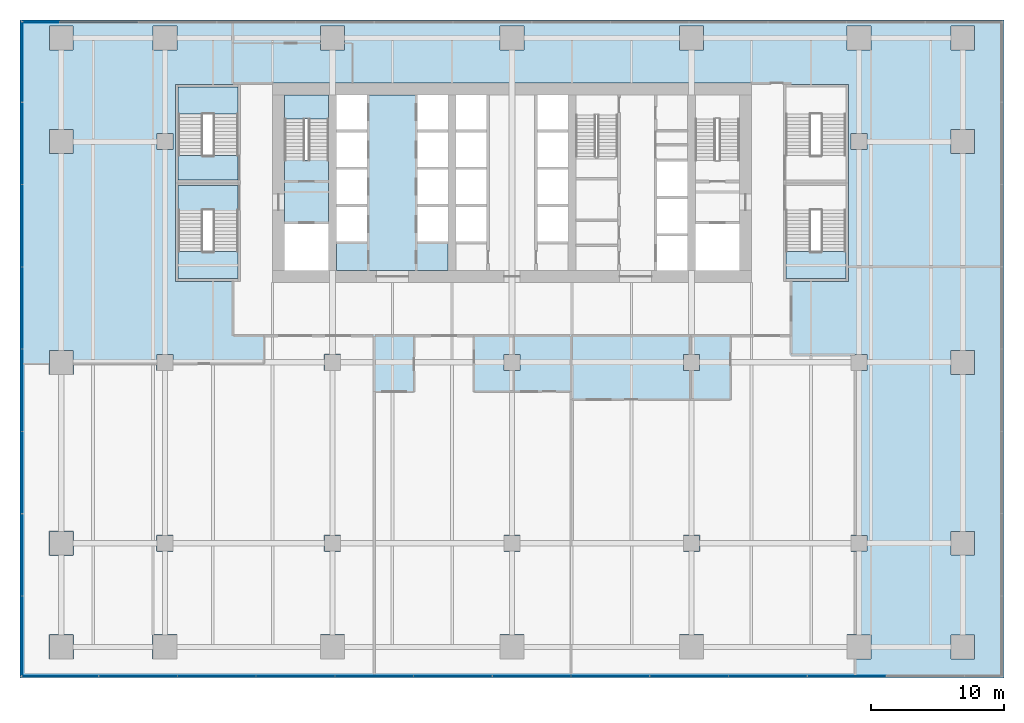
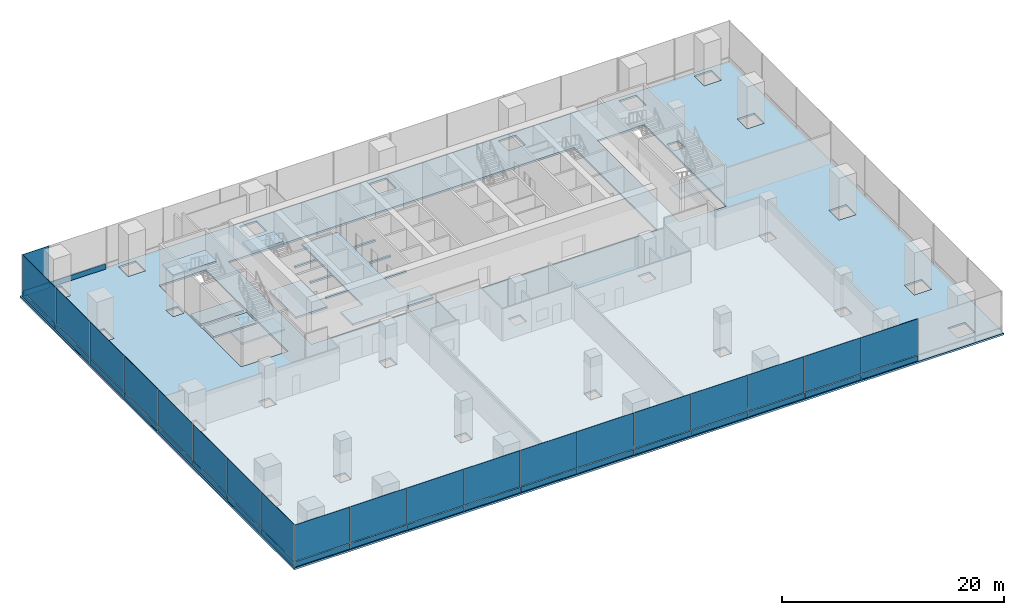
# One storey, part 17 of 28: 41 plates, 9 slabs, 7 elements without a shape of their own.
"""IFC4 building model written with IfcOpenShell, lengths in metres."""

from ifc_helpers import new_model, si_unit, direction, frame, origin, origin_2d, place, context, subcontext, project, spatial, polyline, rectangle, outline, extrude, material, layer, layer_set, type_object, element, aggregate, save


model = new_model("IFC4")

# Units and contexts
model_context = context("Model", 3, precision=1e-05, world=origin(), true_north=direction((0.0, 1.0)))
body_context = subcontext(model_context, "Body", "Model", "MODEL_VIEW")
ifc_project = project(units=[si_unit("LENGTHUNIT", "METRE"), si_unit("AREAUNIT", "SQUARE_METRE"), si_unit("VOLUMEUNIT", "CUBIC_METRE"), si_unit("PLANEANGLEUNIT", "RADIAN"), si_unit("MASSUNIT", "GRAM", prefix="KILO")], contexts=[model_context])

# Site, building, storey
site_placement = place(None, origin())
site = spatial("IfcSite", under=ifc_project, at=site_placement, CompositionType="ELEMENT")
building_placement = place(site_placement, origin())
building = spatial("IfcBuilding", under=site, at=building_placement, Name="Rattan Terrace Tower", CompositionType="ELEMENT")
storey_placement = place(building_placement, frame((0.0, 0.0, 17.39990234375)))
storey = spatial("IfcBuildingStorey", under=building, at=storey_placement, Name="L03", CompositionType="ELEMENT", Elevation=17.39990234375)

# Stair, slab
ifc_material_1 = material(Name="Concrete C40/50", Category="concrete")
stair_type_1 = type_object("IfcStairType", Name="Core exit stair 1500", PredefinedType="HALF_TURN_STAIR", material=ifc_material_1)
stair_1_placement = place(storey_placement, origin())
stair_1 = element("IfcStair", 1, at=stair_1_placement, inside=storey, type_object=stair_type_1, Name="L03 exit stair 1", PredefinedType="HALF_TURN_STAIR")
ifc_material_2 = material(Name="Concrete C40/50", Category="concrete")
ifc_layer_1 = layer(ifc_material_2, 0.199951171875)
ifc_layer_set_1 = layer_set([ifc_layer_1], Name="Core exit stair landing")
slab_type_1 = type_object("IfcSlabType", Name="Core exit stair landing", PredefinedType="LANDING", material=ifc_layer_set_1)
slab_1_placement = place(storey_placement, frame((0.0, 0.0, 2.2001953125)))
slab_1 = element("IfcSlab", 2, at=slab_1_placement, type_object=slab_type_1, Name="S1 landing 1", PredefinedType="LANDING", context=body_context, shape_type="SweptSolid", body=[
    extrude(outline(polyline([(-13.800048828125, 4.820068359375), (-13.800048828125, 6.60009765625), (-17.10009765625, 6.60009765625), (-17.10009765625, 4.820068359375), (-13.800048828125, 4.820068359375)])), origin(), (0.0, 0.0, 1.0), 0.199951171875),
])
aggregate(stair_1, [slab_1])

ifc_material_3 = material(Name="Concrete C40/50", Category="concrete")
stair_type_2 = type_object("IfcStairType", Name="Core exit stair 1850", PredefinedType="HALF_TURN_STAIR", material=ifc_material_3)
stair_2_placement = place(storey_placement, origin())
stair_2 = element("IfcStair", 3, at=stair_2_placement, inside=storey, type_object=stair_type_2, Name="L03 exit stair 4", PredefinedType="HALF_TURN_STAIR")
slab_2_placement = place(storey_placement, frame((0.0, 0.0, 2.2001953125)))
slab_2 = element("IfcSlab", 4, at=slab_2_placement, type_object=slab_type_1, Name="S4 landing 1", PredefinedType="LANDING", context=body_context, shape_type="SweptSolid", body=[
    extrude(outline(polyline([(-25.10009765625, -5.169921875), (-25.10009765625, -7.199951171875), (-20.60009765625, -7.199951171875), (-20.60009765625, -5.169921875), (-25.10009765625, -5.169921875)])), origin(), (0.0, 0.0, 1.0), 0.199951171875),
])
aggregate(stair_2, [slab_2])

stair_3_placement = place(storey_placement, origin())
stair_3 = element("IfcStair", 5, at=stair_3_placement, inside=storey, type_object=stair_type_2, Name="L03 exit stair 5", PredefinedType="HALF_TURN_STAIR")
slab_3_placement = place(storey_placement, frame((0.0, 0.0, 2.2001953125)))
slab_3 = element("IfcSlab", 6, at=slab_3_placement, type_object=slab_type_1, Name="S5 landing 1", PredefinedType="LANDING", context=body_context, shape_type="SweptSolid", body=[
    extrude(outline(polyline([(-20.60009765625, 5.169921875), (-20.60009765625, 7.199951171875), (-25.10009765625, 7.199951171875), (-25.10009765625, 5.169921875), (-20.60009765625, 5.169921875)])), origin(), (0.0, 0.0, 1.0), 0.199951171875),
])
aggregate(stair_3, [slab_3])

stair_4_placement = place(storey_placement, origin())
stair_4 = element("IfcStair", 7, at=stair_4_placement, inside=storey, type_object=stair_type_2, Name="L03 exit stair 6", PredefinedType="HALF_TURN_STAIR")
slab_4_placement = place(storey_placement, frame((0.0, 0.0, 2.2001953125)))
slab_4 = element("IfcSlab", 8, at=slab_4_placement, type_object=slab_type_1, Name="S6 landing 1", PredefinedType="LANDING", context=body_context, shape_type="SweptSolid", body=[
    extrude(outline(polyline([(20.60009765625, -5.169921875), (20.60009765625, -7.199951171875), (25.10009765625, -7.199951171875), (25.10009765625, -5.169921875), (20.60009765625, -5.169921875)])), origin(), (0.0, 0.0, 1.0), 0.199951171875),
])
aggregate(stair_4, [slab_4])

# Slabs
ifc_material_4 = material(Name="Concrete C35/45", Category="concrete")
ifc_layer_2 = layer(ifc_material_4, 0.199951171875)
ifc_layer_set_2 = layer_set([ifc_layer_2], Name="Frame composite floor slab 200")
slab_type_2 = type_object("IfcSlabType", Name="Frame composite floor slab 200", PredefinedType="FLOOR", material=ifc_layer_set_2)
slab_5_placement = place(storey_placement, frame((0.0, 0.0, -0.199951171875)))
element("IfcSlab", 9, at=slab_5_placement, inside=storey, type_object=slab_type_2, Name="Floor slab", PredefinedType="FLOOR", context=body_context, shape_type="SweptSolid", body=[
    extrude(outline(polyline([(-37.0, -37.25), (37.0, -37.25), (37.0, 12.25), (-37.0, 12.25), (-37.0, -37.25)]), holes=[polyline([(-34.800048828125, -34.0), (-34.800048828125, -35.800048828125), (-33.0, -35.800048828125), (-33.0, -34.0), (-34.800048828125, -34.0)]), polyline([(-14.39990234375, -34.0), (-14.39990234375, -35.800048828125), (-12.60009765625, -35.800048828125), (-12.60009765625, -34.0), (-14.39990234375, -34.0)]), polyline([(-27.0, -34.0), (-27.0, -35.800048828125), (-25.199951171875, -35.800048828125), (-25.199951171875, -34.0), (-27.0, -34.0)]), polyline([(-12.89990234375, -26.5), (-14.10009765625, -26.5), (-14.10009765625, -27.699951171875), (-12.89990234375, -27.699951171875), (-12.89990234375, -26.5)]), polyline([(-25.5, -26.5), (-26.699951171875, -26.5), (-26.699951171875, -27.699951171875), (-25.5, -27.699951171875), (-25.5, -26.5)]), polyline([(-34.800048828125, -28.0), (-33.0, -28.0), (-33.0, -26.199951171875), (-34.800048828125, -26.199951171875), (-34.800048828125, -28.0)]), polyline([(-34.800048828125, -14.39990234375), (-33.0, -14.39990234375), (-33.0, -12.60009765625), (-34.800048828125, -12.60009765625), (-34.800048828125, -14.39990234375)]), polyline([(-14.10009765625, -12.89990234375), (-14.10009765625, -14.10009765625), (-12.89990234375, -14.10009765625), (-12.89990234375, -12.89990234375), (-14.10009765625, -12.89990234375)]), polyline([(-25.5, -12.89990234375), (-26.699951171875, -12.89990234375), (-26.699951171875, -14.10009765625), (-25.5, -14.10009765625), (-25.5, -12.89990234375)]), polyline([(-25.10009765625, -7.39990234375), (-20.60009765625, -7.39990234375), (-20.60009765625, -7.39990234375), (-20.39990234375, -7.39990234375), (-20.39990234375, 0.0), (-20.39990234375, 7.39990234375), (-20.60009765625, 7.39990234375), (-20.60009765625, 7.39990234375), (-25.10009765625, 7.39990234375), (-25.10009765625, 7.39990234375), (-25.300048828125, 7.39990234375), (-25.300048828125, 0.0), (-25.300048828125, -7.39990234375), (-25.10009765625, -7.39990234375), (-25.10009765625, -7.39990234375)]), polyline([(18.0, -6.60009765625), (18.0, 6.60009765625), (18.0, 7.5), (-18.0, 7.5), (-18.0, 6.60009765625), (-18.0, -6.60009765625), (-18.0, -7.5), (18.0, -7.5), (18.0, -6.60009765625)]), polyline([(-26.699951171875, 3.699951171875), (-26.699951171875, 2.5), (-25.5, 2.5), (-25.5, 3.699951171875), (-26.699951171875, 3.699951171875)]), polyline([(-34.800048828125, 4.0), (-34.800048828125, 2.199951171875), (-33.0, 2.199951171875), (-33.0, 4.0), (-34.800048828125, 4.0)]), polyline([(-25.199951171875, 11.800048828125), (-27.0, 11.800048828125), (-27.0, 10.0), (-25.199951171875, 10.0), (-25.199951171875, 11.800048828125)]), polyline([(-14.39990234375, 11.800048828125), (-14.39990234375, 10.0), (-12.60009765625, 10.0), (-12.60009765625, 11.800048828125), (-14.39990234375, 11.800048828125)]), polyline([(-34.800048828125, 11.800048828125), (-34.800048828125, 10.0), (-33.0, 10.0), (-33.0, 11.800048828125), (-34.800048828125, 11.800048828125)]), polyline([(-0.89990234375, -34.0), (-0.89990234375, -35.800048828125), (0.89990234375, -35.800048828125), (0.89990234375, -34.0), (-0.89990234375, -34.0)]), polyline([(0.60009765625, -26.5), (-0.60009765625, -26.5), (-0.60009765625, -27.699951171875), (0.60009765625, -27.699951171875), (0.60009765625, -26.5)]), polyline([(0.60009765625, -12.89990234375), (-0.60009765625, -12.89990234375), (-0.60009765625, -14.10009765625), (0.60009765625, -14.10009765625), (0.60009765625, -12.89990234375)]), polyline([(0.89990234375, 11.800048828125), (-0.89990234375, 11.800048828125), (-0.89990234375, 10.0), (0.89990234375, 10.0), (0.89990234375, 11.800048828125)]), polyline([(34.800048828125, -34.0), (33.0, -34.0), (33.0, -35.800048828125), (34.800048828125, -35.800048828125), (34.800048828125, -34.0)]), polyline([(25.199951171875, -34.0), (25.199951171875, -35.800048828125), (27.0, -35.800048828125), (27.0, -34.0), (25.199951171875, -34.0)]), polyline([(14.39990234375, -34.0), (12.60009765625, -34.0), (12.60009765625, -35.800048828125), (14.39990234375, -35.800048828125), (14.39990234375, -34.0)]), polyline([(14.10009765625, -26.5), (12.89990234375, -26.5), (12.89990234375, -27.699951171875), (14.10009765625, -27.699951171875), (14.10009765625, -26.5)]), polyline([(33.0, -28.0), (34.800048828125, -28.0), (34.800048828125, -26.199951171875), (33.0, -26.199951171875), (33.0, -28.0)]), polyline([(26.699951171875, -26.5), (25.5, -26.5), (25.5, -27.699951171875), (26.699951171875, -27.699951171875), (26.699951171875, -26.5)]), polyline([(33.0, -12.60009765625), (33.0, -14.39990234375), (34.800048828125, -14.39990234375), (34.800048828125, -12.60009765625), (33.0, -12.60009765625)]), polyline([(12.89990234375, -12.89990234375), (12.89990234375, -14.10009765625), (14.10009765625, -14.10009765625), (14.10009765625, -12.89990234375), (12.89990234375, -12.89990234375)]), polyline([(25.5, -12.89990234375), (25.5, -14.10009765625), (26.699951171875, -14.10009765625), (26.699951171875, -12.89990234375), (25.5, -12.89990234375)]), polyline([(20.60009765625, -7.39990234375), (20.60009765625, -7.39990234375), (25.10009765625, -7.39990234375), (25.10009765625, -7.39990234375), (25.300048828125, -7.39990234375), (25.300048828125, 0.0), (25.300048828125, 7.39990234375), (25.10009765625, 7.39990234375), (25.10009765625, 7.39990234375), (20.60009765625, 7.39990234375), (20.60009765625, 7.39990234375), (20.39990234375, 7.39990234375), (20.39990234375, 0.0), (20.39990234375, -7.39990234375), (20.60009765625, -7.39990234375)]), polyline([(25.5, 3.699951171875), (25.5, 2.5), (26.699951171875, 2.5), (26.699951171875, 3.699951171875), (25.5, 3.699951171875)]), polyline([(33.0, 2.199951171875), (34.800048828125, 2.199951171875), (34.800048828125, 4.0), (33.0, 4.0), (33.0, 2.199951171875)]), polyline([(25.199951171875, 11.800048828125), (25.199951171875, 10.0), (27.0, 10.0), (27.0, 11.800048828125), (25.199951171875, 11.800048828125)]), polyline([(34.800048828125, 11.800048828125), (33.0, 11.800048828125), (33.0, 10.0), (34.800048828125, 10.0), (34.800048828125, 11.800048828125)]), polyline([(14.39990234375, 11.800048828125), (12.60009765625, 11.800048828125), (12.60009765625, 10.0), (14.39990234375, 10.0), (14.39990234375, 11.800048828125)])]), origin(), (0.0, 0.0, 1.0), 0.199951171875),
])
slab_6_placement = place(storey_placement, frame((0.0, 0.0, -0.199951171875)))
element("IfcSlab", 10, at=slab_6_placement, inside=storey, type_object=slab_type_2, Name="Floor slab", PredefinedType="FLOOR", context=body_context, shape_type="SweptSolid", body=[
    extrude(outline(polyline([(-20.60009765625, 0.199951171875), (-20.60009765625, 2.06005859375), (-25.10009765625, 2.06005859375), (-25.10009765625, 0.199951171875), (-20.60009765625, 0.199951171875)])), origin(), (0.0, 0.0, 1.0), 0.199951171875),
])
slab_7_placement = place(storey_placement, frame((0.0, 0.0, -0.199951171875)))
element("IfcSlab", 11, at=slab_7_placement, inside=storey, type_object=slab_type_2, Name="Floor slab", PredefinedType="FLOOR", context=body_context, shape_type="SweptSolid", body=[
    extrude(outline(polyline([(-25.10009765625, -2.06005859375), (-20.60009765625, -2.06005859375), (-20.60009765625, -0.199951171875), (-25.10009765625, -0.199951171875), (-25.10009765625, -2.06005859375)])), origin(), (0.0, 0.0, 1.0), 0.199951171875),
])
slab_8_placement = place(storey_placement, frame((0.0, 0.0, -0.199951171875)))
element("IfcSlab", 12, at=slab_8_placement, inside=storey, type_object=slab_type_2, Name="Floor slab", PredefinedType="FLOOR", context=body_context, shape_type="SweptSolid", body=[
    extrude(outline(polyline([(-13.199951171875, 4.0), (-13.199951171875, 3.800048828125), (-10.89990234375, 3.800048828125), (-10.89990234375, 1.199951171875), (-13.199951171875, 1.199951171875), (-13.199951171875, 1.0), (-10.89990234375, 1.0), (-10.89990234375, -1.60009765625), (-13.199951171875, -1.60009765625), (-13.199951171875, -1.800048828125), (-10.89990234375, -1.800048828125), (-10.89990234375, -4.39990234375), (-13.199951171875, -4.39990234375), (-13.199951171875, -6.60009765625), (-4.800048828125, -6.60009765625), (-4.800048828125, -4.39990234375), (-7.10009765625, -4.39990234375), (-7.10009765625, -1.800048828125), (-4.800048828125, -1.800048828125), (-4.800048828125, -1.60009765625), (-7.10009765625, -1.60009765625), (-7.10009765625, 1.0), (-4.800048828125, 1.0), (-4.800048828125, 1.199951171875), (-7.10009765625, 1.199951171875), (-7.10009765625, 3.800048828125), (-4.800048828125, 3.800048828125), (-4.800048828125, 4.0), (-7.10009765625, 4.0), (-7.10009765625, 6.60009765625), (-10.89990234375, 6.60009765625), (-10.89990234375, 4.0), (-13.199951171875, 4.0)])), origin(), (0.0, 0.0, 1.0), 0.199951171875),
])
slab_9_placement = place(storey_placement, frame((0.0, 0.0, -0.199951171875)))
element("IfcSlab", 13, at=slab_9_placement, inside=storey, type_object=slab_type_2, Name="Floor slab", PredefinedType="FLOOR", context=body_context, shape_type="SweptSolid", body=[
    extrude(outline(polyline([(-17.10009765625, -3.10009765625), (-13.800048828125, -3.10009765625), (-13.800048828125, 1.7099609375), (-17.10009765625, 1.7099609375), (-17.10009765625, -3.10009765625)])), origin(), (0.0, 0.0, 1.0), 0.199951171875),
])

# Curtain wall, plates
ifc_material_5 = material(Name="Aluminium and glass", Category="aluminium")
ifc_layer_3 = layer(ifc_material_5, 0.1201171875)
ifc_layer_set_3 = layer_set([ifc_layer_3], Name="Station Storefront Curtain Wall")
curtain_wall_type = type_object("IfcCurtainWallType", Name="Station Storefront Curtain Wall", PredefinedType="NOTDEFINED", material=ifc_layer_set_3)
curtain_wall_1_placement = place(storey_placement, origin())
curtain_wall_1 = element("IfcCurtainWall", 14, at=curtain_wall_1_placement, inside=storey, type_object=curtain_wall_type, Name="Storefront curtain wall L03-2", PredefinedType="NOTDEFINED")
ifc_material_6 = material(Name="Granite bulkhead panel", Category="masonry")
ifc_layer_4 = layer(ifc_material_6, 0.110107421875)
ifc_layer_set_4 = layer_set([ifc_layer_4], Name="Storefront CW Stone Bulkhead Panel")
plate_type_1 = type_object("IfcPlateType", Name="Storefront CW Stone Bulkhead Panel", PredefinedType="CURTAIN_PANEL", material=ifc_layer_set_4)
plate_1_placement = place(storey_placement, frame((-31.080078125, 12.080078125, 0.0), z_axis=(0.0, 0.0, 1.0), x_axis=(-1.0, 0.0, 0.0)))
plate_1 = element("IfcPlate", 15, at=plate_1_placement, type_object=plate_type_1, Name="Panel cwl-L03-002.12.1", PredefinedType="CURTAIN_PANEL", context=body_context, shape_type="SweptSolid", body=[
    extrude(rectangle(XDim=5.8701171875, YDim=0.110107421875, at=origin_2d()), origin(), (0.0, 0.0, 1.0), 0.574951171875),
])
plate_2_placement = place(storey_placement, frame((-35.41748046875, 12.080078125, 0.0), z_axis=(0.0, 0.0, 1.0), x_axis=(-1.0, 0.0, 0.0)))
plate_2 = element("IfcPlate", 16, at=plate_2_placement, type_object=plate_type_1, Name="Panel cwl-L03-002.13.1", PredefinedType="CURTAIN_PANEL", context=body_context, shape_type="SweptSolid", body=[
    extrude(rectangle(XDim=2.705078125, YDim=0.110107421875, at=origin_2d()), origin(), (0.0, 0.0, 1.0), 0.574951171875),
])

curtain_wall_2_placement = place(storey_placement, origin())
curtain_wall_2 = element("IfcCurtainWall", 17, at=curtain_wall_2_placement, inside=storey, type_object=curtain_wall_type, Name="Storefront curtain wall L03-3", PredefinedType="NOTDEFINED")
plate_3_placement = place(storey_placement, frame((-36.830078125, 9.08837890625, 0.0), z_axis=(0.0, 0.0, 1.0), x_axis=(0.0, -1.0, 0.0)))
plate_3 = element("IfcPlate", 18, at=plate_3_placement, type_object=plate_type_1, Name="Panel cwl-L03-003.1.1", PredefinedType="CURTAIN_PANEL", context=body_context, shape_type="SweptSolid", body=[
    extrude(rectangle(XDim=6.0029296875, YDim=0.110107421875, at=origin_2d()), origin(), (0.0, 0.0, 1.0), 0.574951171875),
])
plate_4_placement = place(storey_placement, frame((-36.830078125, 2.968017578125, 0.0), z_axis=(0.0, 0.0, 1.0), x_axis=(0.0, -1.0, 0.0)))
plate_4 = element("IfcPlate", 19, at=plate_4_placement, type_object=plate_type_1, Name="Panel cwl-L03-003.2.1", PredefinedType="CURTAIN_PANEL", context=body_context, shape_type="SweptSolid", body=[
    extrude(rectangle(XDim=6.137939453125, YDim=0.110107421875, at=origin_2d()), origin(), (0.0, 0.0, 1.0), 0.574951171875),
])
plate_5_placement = place(storey_placement, frame((-36.830078125, -3.219970703125, 0.0), z_axis=(0.0, 0.0, 1.0), x_axis=(0.0, -1.0, 0.0)))
plate_5 = element("IfcPlate", 20, at=plate_5_placement, type_object=plate_type_1, Name="Panel cwl-L03-003.3.1", PredefinedType="CURTAIN_PANEL", context=body_context, shape_type="SweptSolid", body=[
    extrude(rectangle(XDim=6.137939453125, YDim=0.110107421875, at=origin_2d()), origin(), (0.0, 0.0, 1.0), 0.574951171875),
])
plate_6_placement = place(storey_placement, frame((-36.830078125, -9.407958984375, 0.0), z_axis=(0.0, 0.0, 1.0), x_axis=(0.0, -1.0, 0.0)))
plate_6 = element("IfcPlate", 21, at=plate_6_placement, type_object=plate_type_1, Name="Panel cwl-L03-003.4.1", PredefinedType="CURTAIN_PANEL", context=body_context, shape_type="SweptSolid", body=[
    extrude(rectangle(XDim=6.137939453125, YDim=0.110107421875, at=origin_2d()), origin(), (0.0, 0.0, 1.0), 0.574951171875),
])
plate_7_placement = place(storey_placement, frame((-36.830078125, -15.595947265625, 0.0), z_axis=(0.0, 0.0, 1.0), x_axis=(0.0, -1.0, 0.0)))
plate_7 = element("IfcPlate", 22, at=plate_7_placement, type_object=plate_type_1, Name="Panel cwl-L03-003.5.1", PredefinedType="CURTAIN_PANEL", context=body_context, shape_type="SweptSolid", body=[
    extrude(rectangle(XDim=6.137939453125, YDim=0.110107421875, at=origin_2d()), origin(), (0.0, 0.0, 1.0), 0.574951171875),
])
plate_8_placement = place(storey_placement, frame((-36.830078125, -21.783935546875, 0.0), z_axis=(0.0, 0.0, 1.0), x_axis=(0.0, -1.0, 0.0)))
plate_8 = element("IfcPlate", 23, at=plate_8_placement, type_object=plate_type_1, Name="Panel cwl-L03-003.6.1", PredefinedType="CURTAIN_PANEL", context=body_context, shape_type="SweptSolid", body=[
    extrude(rectangle(XDim=6.137939453125, YDim=0.110107421875, at=origin_2d()), origin(), (0.0, 0.0, 1.0), 0.574951171875),
])
plate_9_placement = place(storey_placement, frame((-36.830078125, -27.971923828125, 0.0), z_axis=(0.0, 0.0, 1.0), x_axis=(0.0, -1.0, 0.0)))
plate_9 = element("IfcPlate", 24, at=plate_9_placement, type_object=plate_type_1, Name="Panel cwl-L03-003.7.1", PredefinedType="CURTAIN_PANEL", context=body_context, shape_type="SweptSolid", body=[
    extrude(rectangle(XDim=6.137939453125, YDim=0.110107421875, at=origin_2d()), origin(), (0.0, 0.0, 1.0), 0.574951171875),
])
plate_10_placement = place(storey_placement, frame((-36.830078125, -34.055419921875, 0.0), z_axis=(0.0, 0.0, 1.0), x_axis=(0.0, -1.0, 0.0)))
plate_10 = element("IfcPlate", 25, at=plate_10_placement, type_object=plate_type_1, Name="Panel cwl-L03-003.8.1", PredefinedType="CURTAIN_PANEL", context=body_context, shape_type="SweptSolid", body=[
    extrude(rectangle(XDim=5.928955078125, YDim=0.110107421875, at=origin_2d()), origin(), (0.0, 0.0, 1.0), 0.574951171875),
])

curtain_wall_3_placement = place(storey_placement, origin())
curtain_wall_3 = element("IfcCurtainWall", 26, at=curtain_wall_3_placement, inside=storey, type_object=curtain_wall_type, Name="Storefront curtain wall L03-4", PredefinedType="NOTDEFINED")
plate_11_placement = place(storey_placement, frame((-33.972412109375, -37.080078125, 0.0), z_axis=(0.0, 0.0, 1.0), x_axis=(1.0, 0.0, 0.0)))
plate_11 = element("IfcPlate", 27, at=plate_11_placement, type_object=plate_type_1, Name="Panel cwl-L03-004.1.1", PredefinedType="CURTAIN_PANEL", context=body_context, shape_type="SweptSolid", body=[
    extrude(rectangle(XDim=5.735107421875, YDim=0.110107421875, at=origin_2d()), origin(), (0.0, 0.0, 1.0), 0.574951171875),
])
plate_12_placement = place(storey_placement, frame((-28.1201171875, -37.080078125, 0.0), z_axis=(0.0, 0.0, 1.0), x_axis=(1.0, 0.0, 0.0)))
plate_12 = element("IfcPlate", 28, at=plate_12_placement, type_object=plate_type_1, Name="Panel cwl-L03-004.2.1", PredefinedType="CURTAIN_PANEL", context=body_context, shape_type="SweptSolid", body=[
    extrude(rectangle(XDim=5.8701171875, YDim=0.110107421875, at=origin_2d()), origin(), (0.0, 0.0, 1.0), 0.574951171875),
])
plate_13_placement = place(storey_placement, frame((-22.199951171875, -37.080078125, 0.0), z_axis=(0.0, 0.0, 1.0), x_axis=(1.0, 0.0, 0.0)))
plate_13 = element("IfcPlate", 29, at=plate_13_placement, type_object=plate_type_1, Name="Panel cwl-L03-004.3.1", PredefinedType="CURTAIN_PANEL", context=body_context, shape_type="SweptSolid", body=[
    extrude(rectangle(XDim=5.8701171875, YDim=0.110107421875, at=origin_2d()), origin(), (0.0, 0.0, 1.0), 0.574951171875),
])
plate_14_placement = place(storey_placement, frame((-16.280029296875, -37.080078125, 0.0), z_axis=(0.0, 0.0, 1.0), x_axis=(1.0, 0.0, 0.0)))
plate_14 = element("IfcPlate", 30, at=plate_14_placement, type_object=plate_type_1, Name="Panel cwl-L03-004.4.1", PredefinedType="CURTAIN_PANEL", context=body_context, shape_type="SweptSolid", body=[
    extrude(rectangle(XDim=5.8701171875, YDim=0.110107421875, at=origin_2d()), origin(), (0.0, 0.0, 1.0), 0.574951171875),
])
plate_15_placement = place(storey_placement, frame((-10.360107421875, -37.080078125, 0.0), z_axis=(0.0, 0.0, 1.0), x_axis=(1.0, 0.0, 0.0)))
plate_15 = element("IfcPlate", 31, at=plate_15_placement, type_object=plate_type_1, Name="Panel cwl-L03-004.5.1", PredefinedType="CURTAIN_PANEL", context=body_context, shape_type="SweptSolid", body=[
    extrude(rectangle(XDim=5.8701171875, YDim=0.110107421875, at=origin_2d()), origin(), (0.0, 0.0, 1.0), 0.574951171875),
])
plate_16_placement = place(storey_placement, frame((-4.43994140625, -37.080078125, 0.0), z_axis=(0.0, 0.0, 1.0), x_axis=(1.0, 0.0, 0.0)))
plate_16 = element("IfcPlate", 32, at=plate_16_placement, type_object=plate_type_1, Name="Panel cwl-L03-004.6.1", PredefinedType="CURTAIN_PANEL", context=body_context, shape_type="SweptSolid", body=[
    extrude(rectangle(XDim=5.8701171875, YDim=0.110107421875, at=origin_2d()), origin(), (0.0, 0.0, 1.0), 0.574951171875),
])
plate_17_placement = place(storey_placement, frame((1.47998046875, -37.080078125, 0.0), z_axis=(0.0, 0.0, 1.0), x_axis=(1.0, 0.0, 0.0)))
plate_17 = element("IfcPlate", 33, at=plate_17_placement, type_object=plate_type_1, Name="Panel cwl-L03-004.7.1", PredefinedType="CURTAIN_PANEL", context=body_context, shape_type="SweptSolid", body=[
    extrude(rectangle(XDim=5.8701171875, YDim=0.110107421875, at=origin_2d()), origin(), (0.0, 0.0, 1.0), 0.574951171875),
])
plate_18_placement = place(storey_placement, frame((7.39990234375, -37.080078125, 0.0), z_axis=(0.0, 0.0, 1.0), x_axis=(1.0, 0.0, 0.0)))
plate_18 = element("IfcPlate", 34, at=plate_18_placement, type_object=plate_type_1, Name="Panel cwl-L03-004.8.1", PredefinedType="CURTAIN_PANEL", context=body_context, shape_type="SweptSolid", body=[
    extrude(rectangle(XDim=5.8701171875, YDim=0.110107421875, at=origin_2d()), origin(), (0.0, 0.0, 1.0), 0.574951171875),
])
plate_19_placement = place(storey_placement, frame((13.320068359375, -37.080078125, 0.0), z_axis=(0.0, 0.0, 1.0), x_axis=(1.0, 0.0, 0.0)))
plate_19 = element("IfcPlate", 35, at=plate_19_placement, type_object=plate_type_1, Name="Panel cwl-L03-004.9.1", PredefinedType="CURTAIN_PANEL", context=body_context, shape_type="SweptSolid", body=[
    extrude(rectangle(XDim=5.8701171875, YDim=0.110107421875, at=origin_2d()), origin(), (0.0, 0.0, 1.0), 0.574951171875),
])
plate_20_placement = place(storey_placement, frame((19.239990234375, -37.080078125, 0.0), z_axis=(0.0, 0.0, 1.0), x_axis=(1.0, 0.0, 0.0)))
plate_20 = element("IfcPlate", 36, at=plate_20_placement, type_object=plate_type_1, Name="Panel cwl-L03-004.10.1", PredefinedType="CURTAIN_PANEL", context=body_context, shape_type="SweptSolid", body=[
    extrude(rectangle(XDim=5.8701171875, YDim=0.110107421875, at=origin_2d()), origin(), (0.0, 0.0, 1.0), 0.574951171875),
])
plate_21_placement = place(storey_placement, frame((25.159912109375, -37.080078125, 0.0), z_axis=(0.0, 0.0, 1.0), x_axis=(1.0, 0.0, 0.0)))
plate_21 = element("IfcPlate", 37, at=plate_21_placement, type_object=plate_type_1, Name="Panel cwl-L03-004.11.1", PredefinedType="CURTAIN_PANEL", context=body_context, shape_type="SweptSolid", body=[
    extrude(rectangle(XDim=5.8701171875, YDim=0.110107421875, at=origin_2d()), origin(), (0.0, 0.0, 1.0), 0.574951171875),
])

# Plate
ifc_material_7 = material(Name="Clear toughened glass", Category="glass")
ifc_layer_5 = layer(ifc_material_7, 0.0439453125)
ifc_layer_set_5 = layer_set([ifc_layer_5], Name="Storefront CW Vision Panel")
plate_type_2 = type_object("IfcPlateType", Name="Storefront CW Vision Panel", PredefinedType="CURTAIN_PANEL", material=ifc_layer_set_5)
plate_22_placement = place(storey_placement, frame((-35.41748046875, 12.080078125, 0.625), z_axis=(0.0, 0.0, 1.0), x_axis=(-1.0, 0.0, 0.0)))
plate_22 = element("IfcPlate", 38, at=plate_22_placement, type_object=plate_type_2, Name="Panel cwl-L03-002.13.2", PredefinedType="CURTAIN_PANEL", context=body_context, shape_type="SweptSolid", body=[
    extrude(rectangle(XDim=2.705078125, YDim=0.0439453125, at=origin_2d()), origin(), (0.0, 0.0, 1.0), 3.97509765625),
])

aggregate(curtain_wall_1, [plate_1, plate_2, plate_22])

plate_23_placement = place(storey_placement, frame((-36.830078125, 9.08837890625, 0.625), z_axis=(0.0, 0.0, 1.0), x_axis=(0.0, -1.0, 0.0)))
plate_23 = element("IfcPlate", 39, at=plate_23_placement, type_object=plate_type_2, Name="Panel cwl-L03-003.1.2", PredefinedType="CURTAIN_PANEL", context=body_context, shape_type="SweptSolid", body=[
    extrude(rectangle(XDim=6.0029296875, YDim=0.0439453125, at=origin_2d()), origin(), (0.0, 0.0, 1.0), 3.97509765625),
])

plate_24_placement = place(storey_placement, frame((-36.830078125, 2.968017578125, 0.625), z_axis=(0.0, 0.0, 1.0), x_axis=(0.0, -1.0, 0.0)))
plate_24 = element("IfcPlate", 40, at=plate_24_placement, type_object=plate_type_2, Name="Panel cwl-L03-003.2.2", PredefinedType="CURTAIN_PANEL", context=body_context, shape_type="SweptSolid", body=[
    extrude(rectangle(XDim=6.137939453125, YDim=0.0439453125, at=origin_2d()), origin(), (0.0, 0.0, 1.0), 3.97509765625),
])

plate_25_placement = place(storey_placement, frame((-36.830078125, -3.219970703125, 0.625), z_axis=(0.0, 0.0, 1.0), x_axis=(0.0, -1.0, 0.0)))
plate_25 = element("IfcPlate", 41, at=plate_25_placement, type_object=plate_type_2, Name="Panel cwl-L03-003.3.2", PredefinedType="CURTAIN_PANEL", context=body_context, shape_type="SweptSolid", body=[
    extrude(rectangle(XDim=6.137939453125, YDim=0.0439453125, at=origin_2d()), origin(), (0.0, 0.0, 1.0), 3.97509765625),
])

plate_26_placement = place(storey_placement, frame((-36.830078125, -9.407958984375, 0.625), z_axis=(0.0, 0.0, 1.0), x_axis=(0.0, -1.0, 0.0)))
plate_26 = element("IfcPlate", 42, at=plate_26_placement, type_object=plate_type_2, Name="Panel cwl-L03-003.4.2", PredefinedType="CURTAIN_PANEL", context=body_context, shape_type="SweptSolid", body=[
    extrude(rectangle(XDim=6.137939453125, YDim=0.0439453125, at=origin_2d()), origin(), (0.0, 0.0, 1.0), 3.97509765625),
])

plate_27_placement = place(storey_placement, frame((-36.830078125, -15.595947265625, 0.625), z_axis=(0.0, 0.0, 1.0), x_axis=(0.0, -1.0, 0.0)))
plate_27 = element("IfcPlate", 43, at=plate_27_placement, type_object=plate_type_2, Name="Panel cwl-L03-003.5.2", PredefinedType="CURTAIN_PANEL", context=body_context, shape_type="SweptSolid", body=[
    extrude(rectangle(XDim=6.137939453125, YDim=0.0439453125, at=origin_2d()), origin(), (0.0, 0.0, 1.0), 3.97509765625),
])

plate_28_placement = place(storey_placement, frame((-36.830078125, -21.783935546875, 0.625), z_axis=(0.0, 0.0, 1.0), x_axis=(0.0, -1.0, 0.0)))
plate_28 = element("IfcPlate", 44, at=plate_28_placement, type_object=plate_type_2, Name="Panel cwl-L03-003.6.2", PredefinedType="CURTAIN_PANEL", context=body_context, shape_type="SweptSolid", body=[
    extrude(rectangle(XDim=6.137939453125, YDim=0.0439453125, at=origin_2d()), origin(), (0.0, 0.0, 1.0), 3.97509765625),
])

plate_29_placement = place(storey_placement, frame((-36.830078125, -27.971923828125, 0.625), z_axis=(0.0, 0.0, 1.0), x_axis=(0.0, -1.0, 0.0)))
plate_29 = element("IfcPlate", 45, at=plate_29_placement, type_object=plate_type_2, Name="Panel cwl-L03-003.7.2", PredefinedType="CURTAIN_PANEL", context=body_context, shape_type="SweptSolid", body=[
    extrude(rectangle(XDim=6.137939453125, YDim=0.0439453125, at=origin_2d()), origin(), (0.0, 0.0, 1.0), 3.97509765625),
])

plate_30_placement = place(storey_placement, frame((-36.830078125, -34.055419921875, 0.625), z_axis=(0.0, 0.0, 1.0), x_axis=(0.0, -1.0, 0.0)))
plate_30 = element("IfcPlate", 46, at=plate_30_placement, type_object=plate_type_2, Name="Panel cwl-L03-003.8.2", PredefinedType="CURTAIN_PANEL", context=body_context, shape_type="SweptSolid", body=[
    extrude(rectangle(XDim=5.928955078125, YDim=0.0439453125, at=origin_2d()), origin(), (0.0, 0.0, 1.0), 3.97509765625),
])

aggregate(curtain_wall_2, [plate_3, plate_23, plate_4, plate_24, plate_5, plate_25, plate_6, plate_26, plate_7, plate_27, plate_8, plate_28, plate_9, plate_29, plate_10, plate_30])

plate_31_placement = place(storey_placement, frame((-33.972412109375, -37.080078125, 0.625), z_axis=(0.0, 0.0, 1.0), x_axis=(1.0, 0.0, 0.0)))
plate_31 = element("IfcPlate", 47, at=plate_31_placement, type_object=plate_type_2, Name="Panel cwl-L03-004.1.2", PredefinedType="CURTAIN_PANEL", context=body_context, shape_type="SweptSolid", body=[
    extrude(rectangle(XDim=5.735107421875, YDim=0.0439453125, at=origin_2d()), origin(), (0.0, 0.0, 1.0), 3.97509765625),
])

plate_32_placement = place(storey_placement, frame((-28.1201171875, -37.080078125, 0.625), z_axis=(0.0, 0.0, 1.0), x_axis=(1.0, 0.0, 0.0)))
plate_32 = element("IfcPlate", 48, at=plate_32_placement, type_object=plate_type_2, Name="Panel cwl-L03-004.2.2", PredefinedType="CURTAIN_PANEL", context=body_context, shape_type="SweptSolid", body=[
    extrude(rectangle(XDim=5.8701171875, YDim=0.0439453125, at=origin_2d()), origin(), (0.0, 0.0, 1.0), 3.97509765625),
])

plate_33_placement = place(storey_placement, frame((-22.199951171875, -37.080078125, 0.625), z_axis=(0.0, 0.0, 1.0), x_axis=(1.0, 0.0, 0.0)))
plate_33 = element("IfcPlate", 49, at=plate_33_placement, type_object=plate_type_2, Name="Panel cwl-L03-004.3.2", PredefinedType="CURTAIN_PANEL", context=body_context, shape_type="SweptSolid", body=[
    extrude(rectangle(XDim=5.8701171875, YDim=0.0439453125, at=origin_2d()), origin(), (0.0, 0.0, 1.0), 3.97509765625),
])

plate_34_placement = place(storey_placement, frame((-16.280029296875, -37.080078125, 0.625), z_axis=(0.0, 0.0, 1.0), x_axis=(1.0, 0.0, 0.0)))
plate_34 = element("IfcPlate", 50, at=plate_34_placement, type_object=plate_type_2, Name="Panel cwl-L03-004.4.2", PredefinedType="CURTAIN_PANEL", context=body_context, shape_type="SweptSolid", body=[
    extrude(rectangle(XDim=5.8701171875, YDim=0.0439453125, at=origin_2d()), origin(), (0.0, 0.0, 1.0), 3.97509765625),
])

plate_35_placement = place(storey_placement, frame((-10.360107421875, -37.080078125, 0.625), z_axis=(0.0, 0.0, 1.0), x_axis=(1.0, 0.0, 0.0)))
plate_35 = element("IfcPlate", 51, at=plate_35_placement, type_object=plate_type_2, Name="Panel cwl-L03-004.5.2", PredefinedType="CURTAIN_PANEL", context=body_context, shape_type="SweptSolid", body=[
    extrude(rectangle(XDim=5.8701171875, YDim=0.0439453125, at=origin_2d()), origin(), (0.0, 0.0, 1.0), 3.97509765625),
])

plate_36_placement = place(storey_placement, frame((-4.43994140625, -37.080078125, 0.625), z_axis=(0.0, 0.0, 1.0), x_axis=(1.0, 0.0, 0.0)))
plate_36 = element("IfcPlate", 52, at=plate_36_placement, type_object=plate_type_2, Name="Panel cwl-L03-004.6.2", PredefinedType="CURTAIN_PANEL", context=body_context, shape_type="SweptSolid", body=[
    extrude(rectangle(XDim=5.8701171875, YDim=0.0439453125, at=origin_2d()), origin(), (0.0, 0.0, 1.0), 3.97509765625),
])

plate_37_placement = place(storey_placement, frame((1.47998046875, -37.080078125, 0.625), z_axis=(0.0, 0.0, 1.0), x_axis=(1.0, 0.0, 0.0)))
plate_37 = element("IfcPlate", 53, at=plate_37_placement, type_object=plate_type_2, Name="Panel cwl-L03-004.7.2", PredefinedType="CURTAIN_PANEL", context=body_context, shape_type="SweptSolid", body=[
    extrude(rectangle(XDim=5.8701171875, YDim=0.0439453125, at=origin_2d()), origin(), (0.0, 0.0, 1.0), 3.97509765625),
])

plate_38_placement = place(storey_placement, frame((7.39990234375, -37.080078125, 0.625), z_axis=(0.0, 0.0, 1.0), x_axis=(1.0, 0.0, 0.0)))
plate_38 = element("IfcPlate", 54, at=plate_38_placement, type_object=plate_type_2, Name="Panel cwl-L03-004.8.2", PredefinedType="CURTAIN_PANEL", context=body_context, shape_type="SweptSolid", body=[
    extrude(rectangle(XDim=5.8701171875, YDim=0.0439453125, at=origin_2d()), origin(), (0.0, 0.0, 1.0), 3.97509765625),
])

plate_39_placement = place(storey_placement, frame((13.320068359375, -37.080078125, 0.625), z_axis=(0.0, 0.0, 1.0), x_axis=(1.0, 0.0, 0.0)))
plate_39 = element("IfcPlate", 55, at=plate_39_placement, type_object=plate_type_2, Name="Panel cwl-L03-004.9.2", PredefinedType="CURTAIN_PANEL", context=body_context, shape_type="SweptSolid", body=[
    extrude(rectangle(XDim=5.8701171875, YDim=0.0439453125, at=origin_2d()), origin(), (0.0, 0.0, 1.0), 3.97509765625),
])

plate_40_placement = place(storey_placement, frame((19.239990234375, -37.080078125, 0.625), z_axis=(0.0, 0.0, 1.0), x_axis=(1.0, 0.0, 0.0)))
plate_40 = element("IfcPlate", 56, at=plate_40_placement, type_object=plate_type_2, Name="Panel cwl-L03-004.10.2", PredefinedType="CURTAIN_PANEL", context=body_context, shape_type="SweptSolid", body=[
    extrude(rectangle(XDim=5.8701171875, YDim=0.0439453125, at=origin_2d()), origin(), (0.0, 0.0, 1.0), 3.97509765625),
])

plate_41_placement = place(storey_placement, frame((25.159912109375, -37.080078125, 0.625), z_axis=(0.0, 0.0, 1.0), x_axis=(1.0, 0.0, 0.0)))
plate_41 = element("IfcPlate", 57, at=plate_41_placement, type_object=plate_type_2, Name="Panel cwl-L03-004.11.2", PredefinedType="CURTAIN_PANEL", context=body_context, shape_type="SweptSolid", body=[
    extrude(rectangle(XDim=5.8701171875, YDim=0.0439453125, at=origin_2d()), origin(), (0.0, 0.0, 1.0), 3.97509765625),
])

aggregate(curtain_wall_3, [plate_11, plate_31, plate_12, plate_32, plate_13, plate_33, plate_14, plate_34, plate_15, plate_35, plate_16, plate_36, plate_17, plate_37, plate_18, plate_38, plate_19, plate_39, plate_20, plate_40, plate_21, plate_41])

save(model, "model.ifc")
